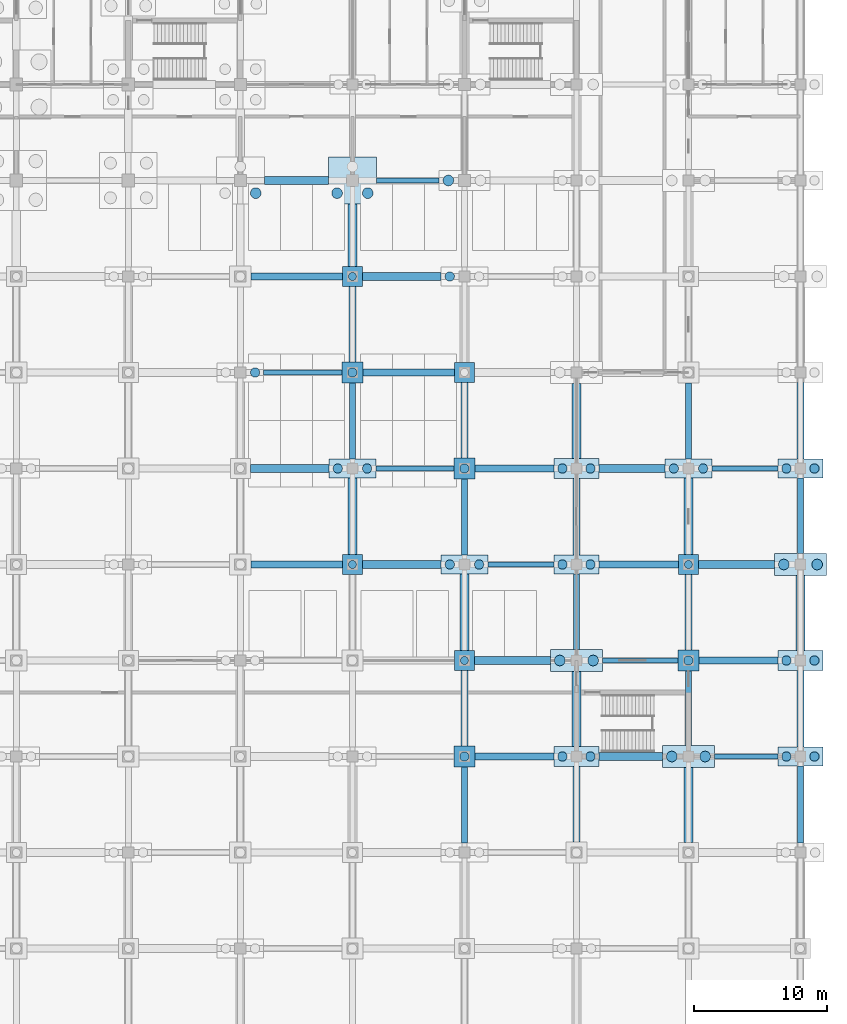
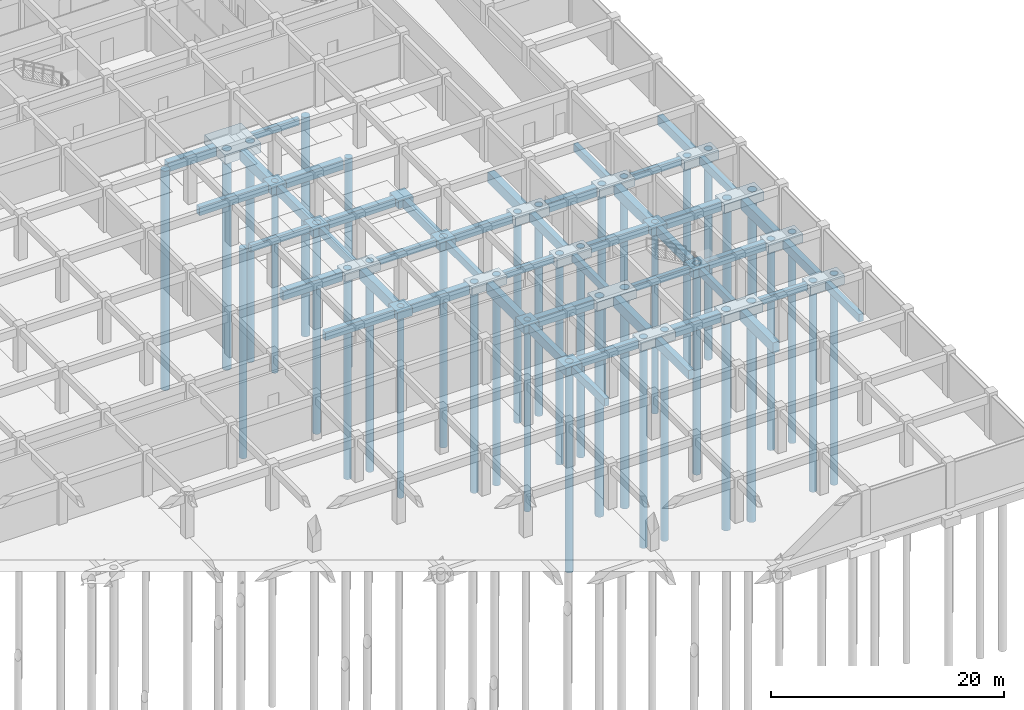
# One storey, part 14 of 85: 68 footings, 38 piles.
"""IFC4 building model written with IfcOpenShell, lengths in metres."""

from ifc_helpers import new_model, si_unit, direction, frame, origin, origin_2d, place, context, subcontext, project, spatial, rectangle, circle, extrude, material, material_profile, profile_set, type_object, element, save


model = new_model("IFC4")

# Units and contexts
model_context = context("Model", 3, precision=1e-05, world=origin(), true_north=direction((0.0, 1.0)))
body_context = subcontext(model_context, "Body", "Model", "MODEL_VIEW")
ifc_project = project(units=[si_unit("LENGTHUNIT", "METRE"), si_unit("AREAUNIT", "SQUARE_METRE"), si_unit("VOLUMEUNIT", "CUBIC_METRE"), si_unit("PLANEANGLEUNIT", "RADIAN"), si_unit("MASSUNIT", "GRAM", prefix="KILO")], contexts=[model_context])

# Site, building, storey
site_placement = place(None, origin())
site = spatial("IfcSite", under=ifc_project, at=site_placement, CompositionType="ELEMENT")
building_placement = place(site_placement, origin())
building = spatial("IfcBuilding", under=site, at=building_placement, Name="Chengyuan Square Courthouse", CompositionType="ELEMENT")
storey_placement = place(building_placement, frame((0.0, 0.0, -10.199951171875)))
storey = spatial("IfcBuildingStorey", under=building, at=storey_placement, Name="B02", CompositionType="ELEMENT", Elevation=-10.199951171875)

# Footings
ifc_material = material(Name="Concrete C40", Category="concrete")
ifc_material_profile_1 = material_profile(ifc_material, rectangle(XDim=0.39990234375, YDim=0.699951171875, at=origin_2d()), Name="GB-400x700")
ifc_profile_set_1 = profile_set([ifc_material_profile_1], Name="Concrete C40")
footing_type_1 = type_object("IfcFootingType", Name="GB-01", PredefinedType="FOOTING_BEAM", material=ifc_profile_set_1)
footing_1_placement = place(storey_placement, frame((161.550048828125, 36.0, -1.150146484375), z_axis=(1.0, 0.0, 0.0), x_axis=(0.0, 1.0, 0.0)))
element("IfcFooting", 1, at=footing_1_placement, inside=storey, type_object=footing_type_1, Name="Ground Tie Beam GB-B02-0120", PredefinedType="FOOTING_BEAM", context=body_context, shape_type="SweptSolid", body=[
    extrude(rectangle(XDim=0.39990234375, YDim=0.699951171875, at=origin_2d()), origin(), (0.0, 0.0, 1.0), 4.75),
])
footing_2_placement = place(storey_placement, frame((153.14990234375, 43.199951171875, -1.150146484375), z_axis=(1.0, 0.0, 0.0), x_axis=(0.0, 1.0, 0.0)))
element("IfcFooting", 2, at=footing_2_placement, inside=storey, type_object=footing_type_1, Name="Ground Tie Beam GB-B02-0139", PredefinedType="FOOTING_BEAM", context=body_context, shape_type="SweptSolid", body=[
    extrude(rectangle(XDim=0.39990234375, YDim=0.699951171875, at=origin_2d()), origin(), (0.0, 0.0, 1.0), 5.650146484375),
])
footing_3_placement = place(storey_placement, frame((144.550048828125, 50.39990234375, -1.150146484375), z_axis=(1.0, 0.0, 0.0), x_axis=(0.0, 1.0, 0.0)))
element("IfcFooting", 3, at=footing_3_placement, inside=storey, type_object=footing_type_1, Name="Ground Tie Beam GB-B02-0158", PredefinedType="FOOTING_BEAM", context=body_context, shape_type="SweptSolid", body=[
    extrude(rectangle(XDim=0.39990234375, YDim=0.699951171875, at=origin_2d()), origin(), (0.0, 0.0, 1.0), 4.949951171875),
])
footing_4_placement = place(storey_placement, frame((136.14990234375, 57.60009765625, -1.150146484375), z_axis=(1.0, 0.0, 0.0), x_axis=(0.0, 1.0, 0.0)))
element("IfcFooting", 4, at=footing_4_placement, inside=storey, type_object=footing_type_1, Name="Ground Tie Beam GB-B02-0177", PredefinedType="FOOTING_BEAM", context=body_context, shape_type="SweptSolid", body=[
    extrude(rectangle(XDim=0.39990234375, YDim=0.699951171875, at=origin_2d()), origin(), (0.0, 0.0, 1.0), 5.85009765625),
])
footing_5_placement = place(storey_placement, frame((161.35009765625, 57.60009765625, -1.150146484375), z_axis=(1.0, 0.0, 0.0), x_axis=(0.0, 1.0, 0.0)))
element("IfcFooting", 5, at=footing_5_placement, inside=storey, type_object=footing_type_1, Name="Ground Tie Beam GB-B02-0180", PredefinedType="FOOTING_BEAM", context=body_context, shape_type="SweptSolid", body=[
    extrude(rectangle(XDim=0.39990234375, YDim=0.699951171875, at=origin_2d()), origin(), (0.0, 0.0, 1.0), 4.949951171875),
])
footing_6_placement = place(storey_placement, frame((127.75, 64.800048828125, -1.150146484375), z_axis=(1.0, 0.0, 0.0), x_axis=(0.0, 1.0, 0.0)))
element("IfcFooting", 6, at=footing_6_placement, inside=storey, type_object=footing_type_1, Name="Ground Tie Beam GB-B02-0196", PredefinedType="FOOTING_BEAM", context=body_context, shape_type="SweptSolid", body=[
    extrude(rectangle(XDim=0.39990234375, YDim=0.699951171875, at=origin_2d()), origin(), (0.0, 0.0, 1.0), 5.85009765625),
])
footing_7_placement = place(storey_placement, frame((136.199951171875, 79.199951171875, -1.150146484375), z_axis=(1.0, 0.0, 0.0), x_axis=(0.0, 1.0, 0.0)))
element("IfcFooting", 7, at=footing_7_placement, inside=storey, type_object=footing_type_1, Name="Ground Tie Beam GB-B02-0237", PredefinedType="FOOTING_BEAM", context=body_context, shape_type="SweptSolid", body=[
    extrude(rectangle(XDim=0.39990234375, YDim=0.699951171875, at=origin_2d()), origin(), (0.0, 0.0, 1.0), 4.699951171875),
])
ifc_material_profile_2 = material_profile(ifc_material, rectangle(XDim=0.449951171875, YDim=0.800048828125, at=origin_2d()), Name="GB-450x800")
ifc_profile_set_2 = profile_set([ifc_material_profile_2], Name="Concrete C40")
footing_type_2 = type_object("IfcFootingType", Name="GB-02", PredefinedType="FOOTING_BEAM", material=ifc_profile_set_2)
for number, where, z_axis, x_axis, name in (
    (8, (134.39990234375, 58.324951171875, -1.199951171875), (0.0, 1.0, 0.0), (-1.0, 0.0, 0.0), "Ground Tie Beam GB-B02-0611"),
    (9, (142.800048828125, 29.52490234375, -1.199951171875), (0.0, 1.0, 0.0), (-1.0, 0.0, 0.0), "Ground Tie Beam GB-B02-0623"),
    (10, (142.800048828125, 51.125, -1.199951171875), (0.0, 1.0, 0.0), (-1.0, 0.0, 0.0), "Ground Tie Beam GB-B02-0626"),
    (11, (151.199951171875, 44.02490234375, -1.199951171875), (0.0, 1.0, 0.0), (-1.0, 0.0, 0.0), "Ground Tie Beam GB-B02-0641"),
):
    element("IfcFooting", number, at=place(storey_placement, frame(where, z_axis=z_axis, x_axis=x_axis)), inside=storey, type_object=footing_type_2, Name=name, PredefinedType="FOOTING_BEAM", context=body_context, shape_type="SweptSolid", body=[
        extrude(rectangle(XDim=0.449951171875, YDim=0.800048828125, at=origin_2d()), origin(), (0.0, 0.0, 1.0), 5.675048828125),
    ])
footing_8_placement = place(storey_placement, frame((159.60009765625, 36.824951171875, -1.199951171875), z_axis=(0.0, 1.0, 0.0), x_axis=(-1.0, 0.0, 0.0)))
element("IfcFooting", 12, at=footing_8_placement, inside=storey, type_object=footing_type_2, Name="Ground Tie Beam GB-B02-0656", PredefinedType="FOOTING_BEAM", context=body_context, shape_type="SweptSolid", body=[
    extrude(rectangle(XDim=0.449951171875, YDim=0.800048828125, at=origin_2d()), origin(), (0.0, 0.0, 1.0), 5.574951171875),
])
footing_9_placement = place(storey_placement, frame((159.60009765625, 58.324951171875, -1.199951171875), z_axis=(0.0, 1.0, 0.0), x_axis=(-1.0, 0.0, 0.0)))
element("IfcFooting", 13, at=footing_9_placement, inside=storey, type_object=footing_type_2, Name="Ground Tie Beam GB-B02-0659", PredefinedType="FOOTING_BEAM", context=body_context, shape_type="SweptSolid", body=[
    extrude(rectangle(XDim=0.449951171875, YDim=0.800048828125, at=origin_2d()), origin(), (0.0, 0.0, 1.0), 5.675048828125),
])
footing_10_placement = place(storey_placement, frame((168.0, 29.52490234375, -1.199951171875), z_axis=(0.0, 1.0, 0.0), x_axis=(-1.0, 0.0, 0.0)))
element("IfcFooting", 14, at=footing_10_placement, inside=storey, type_object=footing_type_2, Name="Ground Tie Beam GB-B02-0671", PredefinedType="FOOTING_BEAM", context=body_context, shape_type="SweptSolid", body=[
    extrude(rectangle(XDim=0.449951171875, YDim=0.800048828125, at=origin_2d()), origin(), (0.0, 0.0, 1.0), 5.775146484375),
])
footing_11_placement = place(storey_placement, frame((168.0, 51.22509765625, -1.199951171875), z_axis=(0.0, 1.0, 0.0), x_axis=(-1.0, 0.0, 0.0)))
element("IfcFooting", 15, at=footing_11_placement, inside=storey, type_object=footing_type_2, Name="Ground Tie Beam GB-B02-0674", PredefinedType="FOOTING_BEAM", context=body_context, shape_type="SweptSolid", body=[
    extrude(rectangle(XDim=0.449951171875, YDim=0.800048828125, at=origin_2d()), origin(), (0.0, 0.0, 1.0), 5.6748046875),
])
ifc_material_profile_3 = material_profile(ifc_material, rectangle(XDim=0.5, YDim=0.89990234375, at=origin_2d()), Name="GB-500x900")
ifc_profile_set_3 = profile_set([ifc_material_profile_3], Name="Concrete C40")
footing_type_3 = type_object("IfcFootingType", Name="GB-03", PredefinedType="FOOTING_BEAM", material=ifc_profile_set_3)
footing_12_placement = place(storey_placement, frame((143.60009765625, 36.0, -1.25), z_axis=(1.0, 0.0, 0.0), x_axis=(0.0, 1.0, 0.0)))
element("IfcFooting", 16, at=footing_12_placement, inside=storey, type_object=footing_type_3, Name="Ground Tie Beam GB-B02-0118", PredefinedType="FOOTING_BEAM", context=body_context, shape_type="SweptSolid", body=[
    extrude(rectangle(XDim=0.5, YDim=0.89990234375, at=origin_2d()), origin(), (0.0, 0.0, 1.0), 5.89990234375),
])
footing_13_placement = place(storey_placement, frame((160.39990234375, 43.199951171875, -1.25), z_axis=(1.0, 0.0, 0.0), x_axis=(0.0, 1.0, 0.0)))
element("IfcFooting", 17, at=footing_13_placement, inside=storey, type_object=footing_type_3, Name="Ground Tie Beam GB-B02-0140", PredefinedType="FOOTING_BEAM", context=body_context, shape_type="SweptSolid", body=[
    extrude(rectangle(XDim=0.5, YDim=0.89990234375, at=origin_2d()), origin(), (0.0, 0.0, 1.0), 5.900146484375),
])
footing_14_placement = place(storey_placement, frame((126.800048828125, 50.39990234375, -1.25), z_axis=(1.0, 0.0, 0.0), x_axis=(0.0, 1.0, 0.0)))
element("IfcFooting", 18, at=footing_14_placement, inside=storey, type_object=footing_type_3, Name="Ground Tie Beam GB-B02-0156", PredefinedType="FOOTING_BEAM", context=body_context, shape_type="SweptSolid", body=[
    extrude(rectangle(XDim=0.5, YDim=0.89990234375, at=origin_2d()), origin(), (0.0, 0.0, 1.0), 6.849853515625),
])
footing_15_placement = place(storey_placement, frame((152.89990234375, 50.39990234375, -1.25), z_axis=(1.0, 0.0, 0.0), x_axis=(0.0, 1.0, 0.0)))
element("IfcFooting", 19, at=footing_15_placement, inside=storey, type_object=footing_type_3, Name="Ground Tie Beam GB-B02-0159", PredefinedType="FOOTING_BEAM", context=body_context, shape_type="SweptSolid", body=[
    extrude(rectangle(XDim=0.5, YDim=0.89990234375, at=origin_2d()), origin(), (0.0, 0.0, 1.0), 5.9501953125),
])
footing_16_placement = place(storey_placement, frame((143.60009765625, 57.60009765625, -1.25), z_axis=(1.0, 0.0, 0.0), x_axis=(0.0, 1.0, 0.0)))
element("IfcFooting", 20, at=footing_16_placement, inside=storey, type_object=footing_type_3, Name="Ground Tie Beam GB-B02-0178", PredefinedType="FOOTING_BEAM", context=body_context, shape_type="SweptSolid", body=[
    extrude(rectangle(XDim=0.5, YDim=0.89990234375, at=origin_2d()), origin(), (0.0, 0.0, 1.0), 5.89990234375),
])
footing_17_placement = place(storey_placement, frame((135.199951171875, 64.800048828125, -1.25), z_axis=(1.0, 0.0, 0.0), x_axis=(0.0, 1.0, 0.0)))
element("IfcFooting", 21, at=footing_17_placement, inside=storey, type_object=footing_type_3, Name="Ground Tie Beam GB-B02-0197", PredefinedType="FOOTING_BEAM", context=body_context, shape_type="SweptSolid", body=[
    extrude(rectangle(XDim=0.5, YDim=0.89990234375, at=origin_2d()), origin(), (0.0, 0.0, 1.0), 6.85009765625),
])
footing_18_placement = place(storey_placement, frame((126.800048828125, 72.0, -1.25), z_axis=(1.0, 0.0, 0.0), x_axis=(0.0, 1.0, 0.0)))
element("IfcFooting", 22, at=footing_18_placement, inside=storey, type_object=footing_type_3, Name="Ground Tie Beam GB-B02-0216", PredefinedType="FOOTING_BEAM", context=body_context, shape_type="SweptSolid", body=[
    extrude(rectangle(XDim=0.5, YDim=0.89990234375, at=origin_2d()), origin(), (0.0, 0.0, 1.0), 6.849853515625),
])
ifc_material_profile_4 = material_profile(ifc_material, rectangle(XDim=0.550048828125, YDim=0.949951171875, at=origin_2d()), Name="GB-550x950")
ifc_profile_set_4 = profile_set([ifc_material_profile_4], Name="Concrete C40")
footing_type_4 = type_object("IfcFootingType", Name="GB-04", PredefinedType="FOOTING_BEAM", material=ifc_profile_set_4)
for number, where, z_axis, x_axis, name in (
    (23, (134.39990234375, 65.60009765625, -1.275146484375), (0.0, 1.0, 0.0), (-1.0, 0.0, 0.0), "Ground Tie Beam GB-B02-0612"),
    (24, (142.800048828125, 36.800048828125, -1.275146484375), (0.0, 1.0, 0.0), (-1.0, 0.0, 0.0), "Ground Tie Beam GB-B02-0624"),
):
    element("IfcFooting", number, at=place(storey_placement, frame(where, z_axis=z_axis, x_axis=x_axis)), inside=storey, type_object=footing_type_4, Name=name, PredefinedType="FOOTING_BEAM", context=body_context, shape_type="SweptSolid", body=[
        extrude(rectangle(XDim=0.550048828125, YDim=0.949951171875, at=origin_2d()), origin(), (0.0, 0.0, 1.0), 5.64990234375),
    ])
footing_19_placement = place(storey_placement, frame((142.800048828125, 58.39990234375, -1.275146484375), z_axis=(0.0, 1.0, 0.0), x_axis=(-1.0, 0.0, 0.0)))
element("IfcFooting", 25, at=footing_19_placement, inside=storey, type_object=footing_type_4, Name="Ground Tie Beam GB-B02-0627", PredefinedType="FOOTING_BEAM", context=body_context, shape_type="SweptSolid", body=[
    extrude(rectangle(XDim=0.550048828125, YDim=0.949951171875, at=origin_2d()), origin(), (0.0, 0.0, 1.0), 5.650146484375),
])
footing_20_placement = place(storey_placement, frame((151.199951171875, 29.60009765625, -1.275146484375), z_axis=(0.0, 1.0, 0.0), x_axis=(-1.0, 0.0, 0.0)))
element("IfcFooting", 26, at=footing_20_placement, inside=storey, type_object=footing_type_4, Name="Ground Tie Beam GB-B02-0639", PredefinedType="FOOTING_BEAM", context=body_context, shape_type="SweptSolid", body=[
    extrude(rectangle(XDim=0.550048828125, YDim=0.949951171875, at=origin_2d()), origin(), (0.0, 0.0, 1.0), 5.64990234375),
])
footing_21_placement = place(storey_placement, frame((151.199951171875, 51.10009765625, -1.275146484375), z_axis=(0.0, 1.0, 0.0), x_axis=(-1.0, 0.0, 0.0)))
element("IfcFooting", 27, at=footing_21_placement, inside=storey, type_object=footing_type_4, Name="Ground Tie Beam GB-B02-0642", PredefinedType="FOOTING_BEAM", context=body_context, shape_type="SweptSolid", body=[
    extrude(rectangle(XDim=0.550048828125, YDim=0.949951171875, at=origin_2d()), origin(), (0.0, 0.0, 1.0), 5.75),
])
footing_22_placement = place(storey_placement, frame((159.60009765625, 44.0, -1.275146484375), z_axis=(0.0, 1.0, 0.0), x_axis=(-1.0, 0.0, 0.0)))
element("IfcFooting", 28, at=footing_22_placement, inside=storey, type_object=footing_type_4, Name="Ground Tie Beam GB-B02-0657", PredefinedType="FOOTING_BEAM", context=body_context, shape_type="SweptSolid", body=[
    extrude(rectangle(XDim=0.550048828125, YDim=0.949951171875, at=origin_2d()), origin(), (0.0, 0.0, 1.0), 5.64990234375),
])
for number, where, z_axis, x_axis, name in (
    (29, (168.0, 36.699951171875, -1.275146484375), (0.0, 1.0, 0.0), (-1.0, 0.0, 0.0), "Ground Tie Beam GB-B02-0672"),
    (30, (168.0, 58.300048828125, -1.275146484375), (0.0, 1.0, 0.0), (-1.0, 0.0, 0.0), "Ground Tie Beam GB-B02-0675"),
):
    element("IfcFooting", number, at=place(storey_placement, frame(where, z_axis=z_axis, x_axis=x_axis)), inside=storey, type_object=footing_type_4, Name=name, PredefinedType="FOOTING_BEAM", context=body_context, shape_type="SweptSolid", body=[
        extrude(rectangle(XDim=0.550048828125, YDim=0.949951171875, at=origin_2d()), origin(), (0.0, 0.0, 1.0), 5.75),
    ])
ifc_material_profile_5 = material_profile(ifc_material, rectangle(XDim=0.60009765625, YDim=1.0, at=origin_2d()), Name="GB-600x1000")
ifc_profile_set_5 = profile_set([ifc_material_profile_5], Name="Concrete C40")
footing_type_5 = type_object("IfcFootingType", Name="GB-05", PredefinedType="FOOTING_BEAM", material=ifc_profile_set_5)
footing_23_placement = place(storey_placement, frame((152.89990234375, 36.0, -1.300048828125), z_axis=(1.0, 0.0, 0.0), x_axis=(0.0, 1.0, 0.0)))
element("IfcFooting", 31, at=footing_23_placement, inside=storey, type_object=footing_type_5, Name="Ground Tie Beam GB-B02-0119", PredefinedType="FOOTING_BEAM", context=body_context, shape_type="SweptSolid", body=[
    extrude(rectangle(XDim=0.60009765625, YDim=1.0, at=origin_2d()), origin(), (0.0, 0.0, 1.0), 4.75),
])
footing_24_placement = place(storey_placement, frame((143.550048828125, 43.199951171875, -1.300048828125), z_axis=(1.0, 0.0, 0.0), x_axis=(0.0, 1.0, 0.0)))
element("IfcFooting", 32, at=footing_24_placement, inside=storey, type_object=footing_type_5, Name="Ground Tie Beam GB-B02-0138", PredefinedType="FOOTING_BEAM", context=body_context, shape_type="SweptSolid", body=[
    extrude(rectangle(XDim=0.60009765625, YDim=1.0, at=origin_2d()), origin(), (0.0, 0.0, 1.0), 5.699951171875),
])
footing_25_placement = place(storey_placement, frame((135.14990234375, 50.39990234375, -1.300048828125), z_axis=(1.0, 0.0, 0.0), x_axis=(0.0, 1.0, 0.0)))
element("IfcFooting", 33, at=footing_25_placement, inside=storey, type_object=footing_type_5, Name="Ground Tie Beam GB-B02-0157", PredefinedType="FOOTING_BEAM", context=body_context, shape_type="SweptSolid", body=[
    extrude(rectangle(XDim=0.60009765625, YDim=1.0, at=origin_2d()), origin(), (0.0, 0.0, 1.0), 5.900146484375),
])
footing_26_placement = place(storey_placement, frame((160.35009765625, 50.39990234375, -1.300048828125), z_axis=(1.0, 0.0, 0.0), x_axis=(0.0, 1.0, 0.0)))
element("IfcFooting", 34, at=footing_26_placement, inside=storey, type_object=footing_type_5, Name="Ground Tie Beam GB-B02-0160", PredefinedType="FOOTING_BEAM", context=body_context, shape_type="SweptSolid", body=[
    extrude(rectangle(XDim=0.60009765625, YDim=1.0, at=origin_2d()), origin(), (0.0, 0.0, 1.0), 5.699951171875),
])
footing_27_placement = place(storey_placement, frame((126.75, 57.60009765625, -1.300048828125), z_axis=(1.0, 0.0, 0.0), x_axis=(0.0, 1.0, 0.0)))
element("IfcFooting", 35, at=footing_27_placement, inside=storey, type_object=footing_type_5, Name="Ground Tie Beam GB-B02-0176", PredefinedType="FOOTING_BEAM", context=body_context, shape_type="SweptSolid", body=[
    extrude(rectangle(XDim=0.60009765625, YDim=1.0, at=origin_2d()), origin(), (0.0, 0.0, 1.0), 5.89990234375),
])
footing_28_placement = place(storey_placement, frame((152.89990234375, 57.60009765625, -1.300048828125), z_axis=(1.0, 0.0, 0.0), x_axis=(0.0, 1.0, 0.0)))
element("IfcFooting", 36, at=footing_28_placement, inside=storey, type_object=footing_type_5, Name="Ground Tie Beam GB-B02-0179", PredefinedType="FOOTING_BEAM", context=body_context, shape_type="SweptSolid", body=[
    extrude(rectangle(XDim=0.60009765625, YDim=1.0, at=origin_2d()), origin(), (0.0, 0.0, 1.0), 4.9501953125),
])
footing_29_placement = place(storey_placement, frame((135.14990234375, 72.0, -1.300048828125), z_axis=(1.0, 0.0, 0.0), x_axis=(0.0, 1.0, 0.0)))
element("IfcFooting", 37, at=footing_29_placement, inside=storey, type_object=footing_type_5, Name="Ground Tie Beam GB-B02-0217", PredefinedType="FOOTING_BEAM", context=body_context, shape_type="SweptSolid", body=[
    extrude(rectangle(XDim=0.60009765625, YDim=1.0, at=origin_2d()), origin(), (0.0, 0.0, 1.0), 5.900146484375),
])
footing_30_placement = place(storey_placement, frame((127.800048828125, 79.199951171875, -1.300048828125), z_axis=(1.0, 0.0, 0.0), x_axis=(0.0, 1.0, 0.0)))
element("IfcFooting", 38, at=footing_30_placement, inside=storey, type_object=footing_type_5, Name="Ground Tie Beam GB-B02-0236", PredefinedType="FOOTING_BEAM", context=body_context, shape_type="SweptSolid", body=[
    extrude(rectangle(XDim=0.60009765625, YDim=1.0, at=origin_2d()), origin(), (0.0, 0.0, 1.0), 4.800048828125),
])
ifc_material_profile_6 = material_profile(ifc_material, rectangle(XDim=0.64990234375, YDim=1.10009765625, at=origin_2d()), Name="GB-650x1100")
ifc_profile_set_6 = profile_set([ifc_material_profile_6], Name="Concrete C40")
footing_type_6 = type_object("IfcFootingType", Name="GB-06", PredefinedType="FOOTING_BEAM", material=ifc_profile_set_6)
footing_31_placement = place(storey_placement, frame((134.39990234375, 51.14990234375, -1.35009765625), z_axis=(0.0, 1.0, 0.0), x_axis=(-1.0, 0.0, 0.0)))
element("IfcFooting", 39, at=footing_31_placement, inside=storey, type_object=footing_type_6, Name="Ground Tie Beam GB-B02-0610", PredefinedType="FOOTING_BEAM", context=body_context, shape_type="SweptSolid", body=[
    extrude(rectangle(XDim=0.64990234375, YDim=1.10009765625, at=origin_2d()), origin(), (0.0, 0.0, 1.0), 5.72509765625),
])
footing_32_placement = place(storey_placement, frame((134.39990234375, 72.75, -1.35009765625), z_axis=(0.0, 1.0, 0.0), x_axis=(-1.0, 0.0, 0.0)))
element("IfcFooting", 40, at=footing_32_placement, inside=storey, type_object=footing_type_6, Name="Ground Tie Beam GB-B02-0613", PredefinedType="FOOTING_BEAM", context=body_context, shape_type="SweptSolid", body=[
    extrude(rectangle(XDim=0.64990234375, YDim=1.10009765625, at=origin_2d()), origin(), (0.0, 0.0, 1.0), 4.699951171875),
])
footing_33_placement = place(storey_placement, frame((142.800048828125, 43.949951171875, -1.35009765625), z_axis=(0.0, 1.0, 0.0), x_axis=(-1.0, 0.0, 0.0)))
element("IfcFooting", 41, at=footing_33_placement, inside=storey, type_object=footing_type_6, Name="Ground Tie Beam GB-B02-0625", PredefinedType="FOOTING_BEAM", context=body_context, shape_type="SweptSolid", body=[
    extrude(rectangle(XDim=0.64990234375, YDim=1.10009765625, at=origin_2d()), origin(), (0.0, 0.0, 1.0), 5.72509765625),
])
for number, where, z_axis, x_axis, name in (
    (42, (151.199951171875, 36.75, -1.35009765625), (0.0, 1.0, 0.0), (-1.0, 0.0, 0.0), "Ground Tie Beam GB-B02-0640"),
    (43, (151.199951171875, 58.35009765625, -1.35009765625), (0.0, 1.0, 0.0), (-1.0, 0.0, 0.0), "Ground Tie Beam GB-B02-0643"),
    (44, (159.60009765625, 29.550048828125, -1.35009765625), (0.0, 1.0, 0.0), (-1.0, 0.0, 0.0), "Ground Tie Beam GB-B02-0655"),
):
    element("IfcFooting", number, at=place(storey_placement, frame(where, z_axis=z_axis, x_axis=x_axis)), inside=storey, type_object=footing_type_6, Name=name, PredefinedType="FOOTING_BEAM", context=body_context, shape_type="SweptSolid", body=[
        extrude(rectangle(XDim=0.64990234375, YDim=1.10009765625, at=origin_2d()), origin(), (0.0, 0.0, 1.0), 5.625),
    ])
footing_34_placement = place(storey_placement, frame((159.60009765625, 51.14990234375, -1.35009765625), z_axis=(0.0, 1.0, 0.0), x_axis=(-1.0, 0.0, 0.0)))
element("IfcFooting", 45, at=footing_34_placement, inside=storey, type_object=footing_type_6, Name="Ground Tie Beam GB-B02-0658", PredefinedType="FOOTING_BEAM", context=body_context, shape_type="SweptSolid", body=[
    extrude(rectangle(XDim=0.64990234375, YDim=1.10009765625, at=origin_2d()), origin(), (0.0, 0.0, 1.0), 5.72509765625),
])
footing_35_placement = place(storey_placement, frame((168.0, 43.949951171875, -1.35009765625), z_axis=(0.0, 1.0, 0.0), x_axis=(-1.0, 0.0, 0.0)))
element("IfcFooting", 46, at=footing_35_placement, inside=storey, type_object=footing_type_6, Name="Ground Tie Beam GB-B02-0673", PredefinedType="FOOTING_BEAM", context=body_context, shape_type="SweptSolid", body=[
    extrude(rectangle(XDim=0.64990234375, YDim=1.10009765625, at=origin_2d()), origin(), (0.0, 0.0, 1.0), 5.625),
])
footing_type_7 = type_object("IfcFootingType", Name="PC-13", PredefinedType="PILE_CAP", material=ifc_material)
footing_36_placement = place(storey_placement, frame((134.39990234375, 79.199951171875, -1.800048828125), z_axis=(0.0, 0.0, 1.0), x_axis=(1.0, 0.0, 0.0)))
element("IfcFooting", 47, at=footing_36_placement, inside=storey, type_object=footing_type_7, Name="Pile Cap PC-B02-284", PredefinedType="PILE_CAP", context=body_context, shape_type="SweptSolid", body=[
    extrude(rectangle(XDim=3.60009765625, YDim=3.5, at=origin_2d()), origin(), (0.0, 0.0, 1.0), 1.0),
])
footing_type_8 = type_object("IfcFootingType", Name="PC-16", PredefinedType="PILE_CAP", material=ifc_material)
for number, where, z_axis, x_axis, name in (
    (48, (151.199951171875, 43.199951171875, -1.75), (0.0, 0.0, 1.0), (1.0, 0.0, 0.0), "Pile Cap PC-B02-313"),
    (49, (159.60009765625, 36.0, -1.75), (0.0, 0.0, 1.0), (1.0, 0.0, 0.0), "Pile Cap PC-B02-329"),
    (50, (168.0, 50.39990234375, -1.75), (0.0, 0.0, 1.0), (1.0, 0.0, 0.0), "Pile Cap PC-B02-348"),
):
    element("IfcFooting", number, at=place(storey_placement, frame(where, z_axis=z_axis, x_axis=x_axis)), inside=storey, type_object=footing_type_8, Name=name, PredefinedType="PILE_CAP", context=body_context, shape_type="SweptSolid", body=[
        extrude(rectangle(XDim=3.89990234375, YDim=1.64990234375, at=origin_2d()), origin(), (0.0, 0.0, 1.0), 0.949951171875),
    ])
footing_type_9 = type_object("IfcFootingType", Name="PC-17", PredefinedType="PILE_CAP", material=ifc_material)
for number, where, z_axis, x_axis, name in (
    (51, (151.199951171875, 50.39990234375, -1.75), (0.0, 0.0, 1.0), (1.0, 0.0, 0.0), "Pile Cap PC-B02-314"),
    (52, (168.0, 36.0, -1.75), (0.0, 0.0, 1.0), (1.0, 0.0, 0.0), "Pile Cap PC-B02-346"),
    (53, (168.0, 57.60009765625, -1.75), (0.0, 0.0, 1.0), (1.0, 0.0, 0.0), "Pile Cap PC-B02-349"),
):
    element("IfcFooting", number, at=place(storey_placement, frame(where, z_axis=z_axis, x_axis=x_axis)), inside=storey, type_object=footing_type_9, Name=name, PredefinedType="PILE_CAP", context=body_context, shape_type="SweptSolid", body=[
        extrude(rectangle(XDim=3.39990234375, YDim=1.39990234375, at=origin_2d()), origin(), (0.0, 0.0, 1.0), 0.949951171875),
    ])
footing_type_10 = type_object("IfcFootingType", Name="PC-18", PredefinedType="PILE_CAP", material=ifc_material)
for number, where, z_axis, x_axis, name in (
    (54, (151.199951171875, 36.0, -1.699951171875), (0.0, 0.0, 1.0), (1.0, 0.0, 0.0), "Pile Cap PC-B02-312"),
    (55, (151.199951171875, 57.60009765625, -1.699951171875), (0.0, 0.0, 1.0), (1.0, 0.0, 0.0), "Pile Cap PC-B02-315"),
    (56, (168.0, 43.199951171875, -1.699951171875), (0.0, 0.0, 1.0), (1.0, 0.0, 0.0), "Pile Cap PC-B02-347"),
):
    element("IfcFooting", number, at=place(storey_placement, frame(where, z_axis=z_axis, x_axis=x_axis)), inside=storey, type_object=footing_type_10, Name=name, PredefinedType="PILE_CAP", context=body_context, shape_type="SweptSolid", body=[
        extrude(rectangle(XDim=3.39990234375, YDim=1.5, at=origin_2d()), origin(), (0.0, 0.0, 1.0), 0.89990234375),
    ])
footing_type_11 = type_object("IfcFootingType", Name="PC-19", PredefinedType="PILE_CAP", material=ifc_material)
for number, where, z_axis, x_axis, name in (
    (57, (134.39990234375, 57.60009765625, -1.650146484375), (0.0, 0.0, 1.0), (1.0, 0.0, 0.0), "Pile Cap PC-B02-281"),
    (58, (142.800048828125, 50.39990234375, -1.650146484375), (0.0, 0.0, 1.0), (1.0, 0.0, 0.0), "Pile Cap PC-B02-297"),
    (59, (159.60009765625, 57.60009765625, -1.650146484375), (0.0, 0.0, 1.0), (1.0, 0.0, 0.0), "Pile Cap PC-B02-332"),
):
    element("IfcFooting", number, at=place(storey_placement, frame(where, z_axis=z_axis, x_axis=x_axis)), inside=storey, type_object=footing_type_11, Name=name, PredefinedType="PILE_CAP", context=body_context, shape_type="SweptSolid", body=[
        extrude(rectangle(XDim=3.5, YDim=1.449951171875, at=origin_2d()), origin(), (0.0, 0.0, 1.0), 0.85009765625),
    ])
footing_type_12 = type_object("IfcFootingType", Name="PC-20", PredefinedType="PILE_CAP", material=ifc_material)
for number, where, z_axis, x_axis, name in (
    (60, (134.39990234375, 64.800048828125, -1.699951171875), (0.0, 0.0, 1.0), (1.0, 0.0, 0.0), "Pile Cap PC-B02-282"),
    (61, (142.800048828125, 36.0, -1.699951171875), (0.0, 0.0, 1.0), (1.0, 0.0, 0.0), "Pile Cap PC-B02-295"),
    (62, (142.800048828125, 57.60009765625, -1.699951171875), (0.0, 0.0, 1.0), (1.0, 0.0, 0.0), "Pile Cap PC-B02-298"),
    (63, (159.60009765625, 43.199951171875, -1.699951171875), (0.0, 0.0, 1.0), (1.0, 0.0, 0.0), "Pile Cap PC-B02-330"),
):
    element("IfcFooting", number, at=place(storey_placement, frame(where, z_axis=z_axis, x_axis=x_axis)), inside=storey, type_object=footing_type_12, Name=name, PredefinedType="PILE_CAP", context=body_context, shape_type="SweptSolid", body=[
        extrude(rectangle(XDim=1.60009765625, YDim=1.60009765625, at=origin_2d()), origin(), (0.0, 0.0, 1.0), 0.89990234375),
    ])
footing_type_13 = type_object("IfcFootingType", Name="PC-21", PredefinedType="PILE_CAP", material=ifc_material)
for number, where, z_axis, x_axis, name in (
    (64, (134.39990234375, 50.39990234375, -1.650146484375), (0.0, 0.0, 1.0), (1.0, 0.0, 0.0), "Pile Cap PC-B02-280"),
    (65, (134.39990234375, 72.0, -1.650146484375), (0.0, 0.0, 1.0), (1.0, 0.0, 0.0), "Pile Cap PC-B02-283"),
    (66, (142.800048828125, 43.199951171875, -1.650146484375), (0.0, 0.0, 1.0), (1.0, 0.0, 0.0), "Pile Cap PC-B02-296"),
    (67, (142.800048828125, 64.800048828125, -1.650146484375), (0.0, 0.0, 1.0), (1.0, 0.0, 0.0), "Pile Cap PC-B02-299"),
    (68, (159.60009765625, 50.39990234375, -1.650146484375), (0.0, 0.0, 1.0), (1.0, 0.0, 0.0), "Pile Cap PC-B02-331"),
):
    element("IfcFooting", number, at=place(storey_placement, frame(where, z_axis=z_axis, x_axis=x_axis)), inside=storey, type_object=footing_type_13, Name=name, PredefinedType="PILE_CAP", context=body_context, shape_type="SweptSolid", body=[
        extrude(rectangle(XDim=1.5, YDim=1.5, at=origin_2d()), origin(), (0.0, 0.0, 1.0), 0.85009765625),
    ])

# Piles
ifc_material_profile_7 = material_profile(ifc_material, circle(Radius=0.300048828125, at=origin_2d()), Name="BORED PILE D600")
ifc_profile_set_7 = profile_set([ifc_material_profile_7], Name="Concrete C40")
pile_type_1 = type_object("IfcPileType", Name="PL-01", PredefinedType="BORED", material=ifc_profile_set_7)
for number, where, z_axis, x_axis, name in (
    (69, (134.39990234375, 50.39990234375, -0.800048828125), (0.0, 0.0, -1.0), (1.0, 0.0, 0.0), "Bored Pile PL-B02-0569"),
    (70, (134.39990234375, 72.0, -0.800048828125), (0.0, 0.0, -1.0), (1.0, 0.0, 0.0), "Bored Pile PL-B02-0573"),
    (71, (142.800048828125, 43.199951171875, -0.800048828125), (0.0, 0.0, -1.0), (1.0, 0.0, 0.0), "Bored Pile PL-B02-0595"),
    (72, (159.60009765625, 50.39990234375, -0.800048828125), (0.0, 0.0, -1.0), (1.0, 0.0, 0.0), "Bored Pile PL-B02-0654"),
):
    element("IfcPile", number, at=place(storey_placement, frame(where, z_axis=z_axis, x_axis=x_axis)), inside=storey, type_object=pile_type_1, Name=name, PredefinedType="BORED", context=body_context, shape_type="SweptSolid", body=[
        extrude(circle(Radius=0.300048828125, at=origin_2d()), origin(), (0.0, 0.0, 1.0), 20.0),
    ])
ifc_material_profile_8 = material_profile(ifc_material, circle(Radius=0.35009765625, at=origin_2d()), Name="BORED PILE D700")
ifc_profile_set_8 = profile_set([ifc_material_profile_8], Name="Concrete C40")
pile_type_2 = type_object("IfcPileType", Name="PL-02", PredefinedType="BORED", material=ifc_profile_set_8)
for number, where, z_axis, x_axis, name in (
    (73, (127.10009765625, 64.800048828125, -0.800048828125), (0.0, 0.0, -1.0), (1.0, 0.0, 0.0), "Bored Pile PL-B02-0539"),
    (74, (133.300048828125, 57.60009765625, -0.800048828125), (0.0, 0.0, -1.0), (1.0, 0.0, 0.0), "Bored Pile PL-B02-0570"),
    (75, (135.5, 57.60009765625, -0.800048828125), (0.0, 0.0, -1.0), (1.0, 0.0, 0.0), "Bored Pile PL-B02-0571"),
    (76, (134.39990234375, 64.800048828125, -0.800048828125), (0.0, 0.0, -1.0), (1.0, 0.0, 0.0), "Bored Pile PL-B02-0572"),
    (77, (142.800048828125, 36.0, -0.800048828125), (0.0, 0.0, -1.0), (1.0, 0.0, 0.0), "Bored Pile PL-B02-0594"),
    (78, (141.699951171875, 50.39990234375, -0.800048828125), (0.0, 0.0, -1.0), (1.0, 0.0, 0.0), "Bored Pile PL-B02-0596"),
    (79, (143.89990234375, 50.39990234375, -0.800048828125), (0.0, 0.0, -1.0), (1.0, 0.0, 0.0), "Bored Pile PL-B02-0597"),
    (80, (142.800048828125, 57.60009765625, -0.800048828125), (0.0, 0.0, -1.0), (1.0, 0.0, 0.0), "Bored Pile PL-B02-0598"),
    (81, (141.699951171875, 72.0, -0.800048828125), (0.0, 0.0, -1.0), (1.0, 0.0, 0.0), "Bored Pile PL-B02-0600"),
    (82, (150.14990234375, 36.0, -0.800048828125), (0.0, 0.0, -1.0), (1.0, 0.0, 0.0), "Bored Pile PL-B02-0622"),
    (83, (152.25, 36.0, -0.800048828125), (0.0, 0.0, -1.0), (1.0, 0.0, 0.0), "Bored Pile PL-B02-0623"),
    (84, (150.14990234375, 50.39990234375, -0.800048828125), (0.0, 0.0, -1.0), (1.0, 0.0, 0.0), "Bored Pile PL-B02-0626"),
    (85, (152.25, 50.39990234375, -0.800048828125), (0.0, 0.0, -1.0), (1.0, 0.0, 0.0), "Bored Pile PL-B02-0627"),
    (86, (150.14990234375, 57.60009765625, -0.800048828125), (0.0, 0.0, -1.0), (1.0, 0.0, 0.0), "Bored Pile PL-B02-0628"),
    (87, (152.25, 57.60009765625, -0.800048828125), (0.0, 0.0, -1.0), (1.0, 0.0, 0.0), "Bored Pile PL-B02-0629"),
    (88, (159.60009765625, 43.199951171875, -0.800048828125), (0.0, 0.0, -1.0), (1.0, 0.0, 0.0), "Bored Pile PL-B02-0653"),
    (89, (158.5, 57.60009765625, -0.800048828125), (0.0, 0.0, -1.0), (1.0, 0.0, 0.0), "Bored Pile PL-B02-0655"),
    (90, (160.699951171875, 57.60009765625, -0.800048828125), (0.0, 0.0, -1.0), (1.0, 0.0, 0.0), "Bored Pile PL-B02-0656"),
    (91, (166.949951171875, 36.0, -0.800048828125), (0.0, 0.0, -1.0), (1.0, 0.0, 0.0), "Bored Pile PL-B02-0677"),
    (92, (169.050048828125, 36.0, -0.800048828125), (0.0, 0.0, -1.0), (1.0, 0.0, 0.0), "Bored Pile PL-B02-0678"),
    (93, (166.949951171875, 43.199951171875, -0.800048828125), (0.0, 0.0, -1.0), (1.0, 0.0, 0.0), "Bored Pile PL-B02-0679"),
    (94, (169.050048828125, 43.199951171875, -0.800048828125), (0.0, 0.0, -1.0), (1.0, 0.0, 0.0), "Bored Pile PL-B02-0680"),
    (95, (166.949951171875, 57.60009765625, -0.800048828125), (0.0, 0.0, -1.0), (1.0, 0.0, 0.0), "Bored Pile PL-B02-0683"),
    (96, (169.050048828125, 57.60009765625, -0.800048828125), (0.0, 0.0, -1.0), (1.0, 0.0, 0.0), "Bored Pile PL-B02-0684"),
):
    element("IfcPile", number, at=place(storey_placement, frame(where, z_axis=z_axis, x_axis=x_axis)), inside=storey, type_object=pile_type_2, Name=name, PredefinedType="BORED", context=body_context, shape_type="SweptSolid", body=[
        extrude(circle(Radius=0.35009765625, at=origin_2d()), origin(), (0.0, 0.0, 1.0), 22.0),
    ])
ifc_material_profile_9 = material_profile(ifc_material, circle(Radius=0.39990234375, at=origin_2d()), Name="BORED PILE D800")
ifc_profile_set_9 = profile_set([ifc_material_profile_9], Name="Concrete C40")
pile_type_3 = type_object("IfcPileType", Name="PL-03", PredefinedType="BORED", material=ifc_profile_set_9)
for number, where, z_axis, x_axis, name in (
    (97, (127.14990234375, 78.25, -0.800048828125), (0.0, 0.0, -1.0), (1.0, 0.0, 0.0), "Bored Pile PL-B02-0542"),
    (98, (133.25, 78.25, -0.800048828125), (0.0, 0.0, -1.0), (1.0, 0.0, 0.0), "Bored Pile PL-B02-0574"),
    (99, (135.550048828125, 78.25, -0.800048828125), (0.0, 0.0, -1.0), (1.0, 0.0, 0.0), "Bored Pile PL-B02-0575"),
    (100, (141.60009765625, 79.199951171875, -0.800048828125), (0.0, 0.0, -1.0), (1.0, 0.0, 0.0), "Bored Pile PL-B02-0602"),
    (101, (149.949951171875, 43.199951171875, -0.800048828125), (0.0, 0.0, -1.0), (1.0, 0.0, 0.0), "Bored Pile PL-B02-0624"),
    (102, (152.449951171875, 43.199951171875, -0.800048828125), (0.0, 0.0, -1.0), (1.0, 0.0, 0.0), "Bored Pile PL-B02-0625"),
    (103, (158.35009765625, 36.0, -0.800048828125), (0.0, 0.0, -1.0), (1.0, 0.0, 0.0), "Bored Pile PL-B02-0651"),
    (104, (160.85009765625, 36.0, -0.800048828125), (0.0, 0.0, -1.0), (1.0, 0.0, 0.0), "Bored Pile PL-B02-0652"),
    (105, (166.75, 50.39990234375, -0.800048828125), (0.0, 0.0, -1.0), (1.0, 0.0, 0.0), "Bored Pile PL-B02-0681"),
    (106, (169.25, 50.39990234375, -0.800048828125), (0.0, 0.0, -1.0), (1.0, 0.0, 0.0), "Bored Pile PL-B02-0682"),
):
    element("IfcPile", number, at=place(storey_placement, frame(where, z_axis=z_axis, x_axis=x_axis)), inside=storey, type_object=pile_type_3, Name=name, PredefinedType="BORED", context=body_context, shape_type="SweptSolid", body=[
        extrude(circle(Radius=0.39990234375, at=origin_2d()), origin(), (0.0, 0.0, 1.0), 23.0),
    ])

save(model, "model.ifc")
